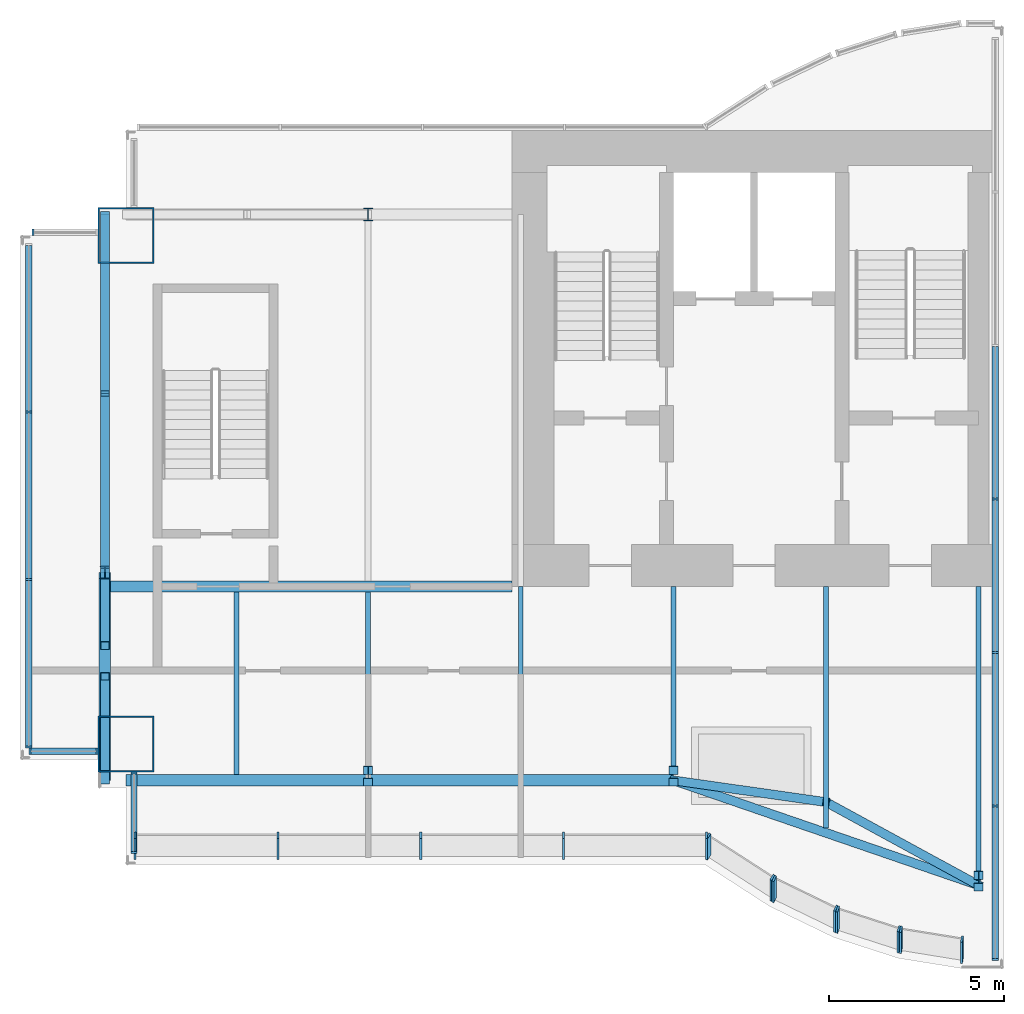
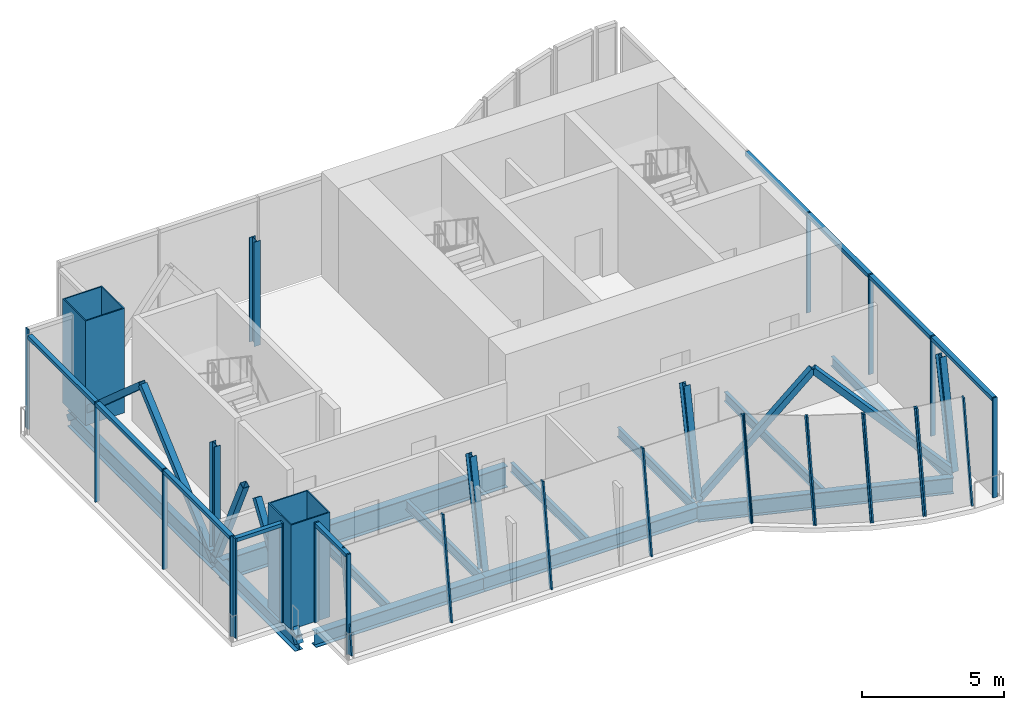
# One storey, part 1 of 6: 40 members, 12 beams, 7 columns, 10 elements without a shape of their own.
"""IFC4 building model written with IfcOpenShell, lengths in metres."""

from ifc_helpers import new_model, si_unit, direction, frame, origin, origin_2d, place, context, subcontext, project, spatial, rectangle, hollow_rectangle, i_section, extrude, material, material_profile, profile_set, type_object, element, aggregate, save


model = new_model("IFC4")

# Units and contexts
model_context = context("Model", 3, precision=1e-05, world=origin(), true_north=direction((0.0, 1.0)))
body_context = subcontext(model_context, "Body", "Model", "MODEL_VIEW")
ifc_project = project(units=[si_unit("LENGTHUNIT", "METRE"), si_unit("AREAUNIT", "SQUARE_METRE"), si_unit("VOLUMEUNIT", "CUBIC_METRE"), si_unit("PLANEANGLEUNIT", "RADIAN"), si_unit("MASSUNIT", "GRAM", prefix="KILO")], contexts=[model_context])

# Site, building, storey
site_placement = place(None, origin())
site = spatial("IfcSite", under=ifc_project, at=site_placement, CompositionType="ELEMENT")
building_placement = place(site_placement, origin())
building = spatial("IfcBuilding", under=site, at=building_placement, Name="Bicima Exchange Tower", CompositionType="ELEMENT")
storey_placement = place(building_placement, frame((0.0, 0.0, 365.89990234375)))
storey = spatial("IfcBuildingStorey", under=building, at=storey_placement, Name="L82", CompositionType="ELEMENT", Elevation=365.89990234375)

# Columns
ifc_material_1 = material(Name="Steel ASTM A572 Gr 50", Category="steel")
ifc_material_profile_1 = material_profile(ifc_material_1, hollow_rectangle(XDim=1.60009765625, YDim=1.60009765625, WallThickness=0.050048828125, at=origin_2d()))
ifc_profile_set_1 = profile_set([ifc_material_profile_1], Name="Steel ASTM A572 Gr 50")
column_type_1 = type_object("IfcColumnType", Name="Mega column BOX 1600x1600x50", PredefinedType="COLUMN", material=ifc_profile_set_1)
for number, where, z_axis, x_axis, name in (
    (1, (-33.0, -17.488037109375, 0.0), (0.0, 0.0, 1.0), (1.0, 0.0, 0.0), "Mega column mega-33.0f"),
    (2, (-33.0, -3.0, 0.0), (0.0, 0.0, 1.0), (1.0, 0.0, 0.0), "Mega column mega-33.0r"),
):
    element("IfcColumn", number, at=place(storey_placement, frame(where, z_axis=z_axis, x_axis=x_axis)), inside=storey, type_object=column_type_1, Name=name, PredefinedType="COLUMN", context=body_context, shape_type="SweptSolid", body=[
        extrude(hollow_rectangle(XDim=1.60009765625, YDim=1.60009765625, WallThickness=0.050048828125, at=origin_2d()), origin(), (0.0, 0.0, 1.0), 4.5),
    ])
ifc_material_2 = material(Name="Steel ASTM A992 Gr 50", Category="steel")
ifc_material_profile_2 = material_profile(ifc_material_2, i_section(OverallWidth=0.25390625, OverallDepth=0.35302734375, WebThickness=0.009521484375, FlangeThickness=0.016357421875, at=origin_2d()))
ifc_profile_set_2 = profile_set([ifc_material_profile_2], Name="Steel ASTM A992 Gr 50")
column_type_2 = type_object("IfcColumnType", Name="Perimeter column W14x61", PredefinedType="COLUMN", material=ifc_profile_set_2)
column_1_placement = place(storey_placement, frame((-26.10009765625, -18.519775390625, 0.03369140625), z_axis=(0.0, 0.191206783257, 0.981549777666), x_axis=(-1.0, 0.0, 0.0)))
element("IfcColumn", 3, at=column_1_placement, inside=storey, type_object=column_type_2, Name="Perimeter column grav-26.1f", PredefinedType="COLUMN", context=body_context, shape_type="SweptSolid", body=[
    extrude(i_section(OverallWidth=0.25390625, OverallDepth=0.35302734375, WebThickness=0.009521484375, FlangeThickness=0.016357421875, at=origin_2d()), origin(), (0.0, 0.0, 1.0), 4.51611328125),
])
column_2_placement = place(storey_placement, frame((-26.10009765625, -2.39990234375, 0.0), z_axis=(0.0, 0.0, 1.0), x_axis=(1.0, 0.0, 0.0)))
element("IfcColumn", 4, at=column_2_placement, inside=storey, type_object=column_type_2, Name="Perimeter column grav-26.1r", PredefinedType="COLUMN", context=body_context, shape_type="SweptSolid", body=[
    extrude(i_section(OverallWidth=0.25390625, OverallDepth=0.35302734375, WebThickness=0.009521484375, FlangeThickness=0.016357421875, at=origin_2d()), origin(), (0.0, 0.0, 1.0), 4.5),
])
for number, where, z_axis, x_axis, name in (
    (5, (-17.39990234375, -18.519775390625, 0.03369140625), (0.0, 0.191206783257, 0.981549777666), (-1.0, 0.0, 0.0), "Perimeter column grav-17.4f"),
    (6, (-8.699951171875, -21.5107421875, 0.03369140625), (0.0, 0.191154699822, 0.981559922132), (-1.0, 0.0, 0.0), "Perimeter column grav-8.7f"),
):
    element("IfcColumn", number, at=place(storey_placement, frame(where, z_axis=z_axis, x_axis=x_axis)), inside=storey, type_object=column_type_2, Name=name, PredefinedType="COLUMN", context=body_context, shape_type="SweptSolid", body=[
        extrude(i_section(OverallWidth=0.25390625, OverallDepth=0.35302734375, WebThickness=0.009521484375, FlangeThickness=0.016357421875, at=origin_2d()), origin(), (0.0, 0.0, 1.0), 4.51611328125),
    ])
column_3_placement = place(storey_placement, frame((-33.60009765625, -12.60009765625, 0.0), z_axis=(0.0, 0.0, 1.0), x_axis=(1.0, 0.0, 0.0)))
element("IfcColumn", 7, at=column_3_placement, inside=storey, type_object=column_type_2, Name="End column end-33.6e", PredefinedType="COLUMN", context=body_context, shape_type="SweptSolid", body=[
    extrude(i_section(OverallWidth=0.25390625, OverallDepth=0.35302734375, WebThickness=0.009521484375, FlangeThickness=0.016357421875, at=origin_2d()), origin(), (0.0, 0.0, 1.0), 4.5),
])

# Beam
ifc_material_profile_3 = material_profile(ifc_material_2, i_section(OverallWidth=0.3046875, OverallDepth=0.911865234375, WebThickness=0.015869140625, FlangeThickness=0.02392578125, at=origin_2d()))
ifc_profile_set_3 = profile_set([ifc_material_profile_3], Name="Steel ASTM A992 Gr 50")
beam_type_1 = type_object("IfcBeamType", Name="Core-line girder W36x150", PredefinedType="BEAM", material=ifc_profile_set_3)
beam_1_placement = place(storey_placement, frame((-22.0, -13.0, -0.65576171875), z_axis=(-1.0, 0.0, 0.0), x_axis=(0.0, -1.0, 0.0)))
element("IfcBeam", 8, at=beam_1_placement, inside=storey, type_object=beam_type_1, Name="Core-line girder", PredefinedType="BEAM", context=body_context, shape_type="SweptSolid", body=[
    extrude(i_section(OverallWidth=0.3046875, OverallDepth=0.911865234375, WebThickness=0.015869140625, FlangeThickness=0.02392578125, at=origin_2d()), origin(), (0.0, 0.0, 1.0), 11.60009765625),
])

# Curtain wall, members
ifc_material_3 = material(Name="Anodised bronze aluminium", Category="aluminium")
curtain_wall_type = type_object("IfcCurtainWallType", Name="Crown glass wall", PredefinedType="NOTDEFINED", material=ifc_material_3)
curtain_wall_1_placement = place(storey_placement, origin())
curtain_wall_1 = element("IfcCurtainWall", 9, at=curtain_wall_1_placement, inside=storey, type_object=curtain_wall_type, Name="Crown glass wall L82 run 2", PredefinedType="NOTDEFINED")
ifc_material_profile_4 = material_profile(ifc_material_3, rectangle(XDim=0.179931640625, YDim=0.06005859375, at=origin_2d()))
ifc_profile_set_4 = profile_set([ifc_material_profile_4], Name="Anodised bronze aluminium")
member_type_1 = type_object("IfcMemberType", Name="Crown glass wall mullion 60 x 180", PredefinedType="MULLION", material=ifc_profile_set_4)
member_1_placement = place(storey_placement, frame((-8.22998046875, -23.629150390625, 0.0), z_axis=(0.0, 0.0, 1.0), x_axis=(-1.0, 0.0, 0.0)))
member_1 = element("IfcMember", 10, at=member_1_placement, type_object=member_type_1, Name="Crown glass wall mullion 1", PredefinedType="MULLION", context=body_context, shape_type="SweptSolid", body=[
    extrude(rectangle(XDim=0.179931640625, YDim=0.06005859375, at=origin_2d()), origin(), (0.0, 0.0, 1.0), 4.300048828125),
])
member_2_placement = place(storey_placement, frame((-8.22998046875, -19.255615234375, 0.0), z_axis=(0.0, 0.0, 1.0), x_axis=(-1.0, 0.0, 0.0)))
member_2 = element("IfcMember", 11, at=member_2_placement, type_object=member_type_1, Name="Crown glass wall mullion 2", PredefinedType="MULLION", context=body_context, shape_type="SweptSolid", body=[
    extrude(rectangle(XDim=0.179931640625, YDim=0.06005859375, at=origin_2d()), origin(), (0.0, 0.0, 1.0), 4.300048828125),
])
member_3_placement = place(storey_placement, frame((-8.22998046875, -14.8818359375, 0.0), z_axis=(0.0, 0.0, 1.0), x_axis=(-1.0, 0.0, 0.0)))
member_3 = element("IfcMember", 12, at=member_3_placement, type_object=member_type_1, Name="Crown glass wall mullion 3", PredefinedType="MULLION", context=body_context, shape_type="SweptSolid", body=[
    extrude(rectangle(XDim=0.179931640625, YDim=0.06005859375, at=origin_2d()), origin(), (0.0, 0.0, 1.0), 4.300048828125),
])
member_4_placement = place(storey_placement, frame((-8.22998046875, -10.508056640625, 0.0), z_axis=(0.0, 0.0, 1.0), x_axis=(-1.0, 0.0, 0.0)))
member_4 = element("IfcMember", 13, at=member_4_placement, type_object=member_type_1, Name="Crown glass wall mullion 4", PredefinedType="MULLION", context=body_context, shape_type="SweptSolid", body=[
    extrude(rectangle(XDim=0.179931640625, YDim=0.06005859375, at=origin_2d()), origin(), (0.0, 0.0, 1.0), 4.300048828125),
])

# Curtain wall, member
curtain_wall_2_placement = place(storey_placement, origin())
curtain_wall_2 = element("IfcCurtainWall", 14, at=curtain_wall_2_placement, inside=storey, type_object=curtain_wall_type, Name="Crown glass wall L82 run 10", PredefinedType="NOTDEFINED")
member_5_placement = place(storey_placement, frame((-35.64990234375, -2.909912109375, 0.0), z_axis=(0.0, 0.0, 1.0), x_axis=(0.0, -1.0, 0.0)))
member_5 = element("IfcMember", 15, at=member_5_placement, type_object=member_type_1, Name="Crown glass wall mullion 2", PredefinedType="MULLION", context=body_context, shape_type="SweptSolid", body=[
    extrude(rectangle(XDim=0.179931640625, YDim=0.06005859375, at=origin_2d()), origin(), (0.0, 0.0, 1.0), 4.300048828125),
])
aggregate(curtain_wall_2, [member_5])

# Curtain wall, members
curtain_wall_3_placement = place(storey_placement, origin())
curtain_wall_3 = element("IfcCurtainWall", 16, at=curtain_wall_3_placement, inside=storey, type_object=curtain_wall_type, Name="Crown glass wall L82 run 11", PredefinedType="NOTDEFINED")
member_6_placement = place(storey_placement, frame((-35.77001953125, -8.031982421875, 0.0), z_axis=(0.0, 0.0, 1.0), x_axis=(1.0, 0.0, 0.0)))
member_6 = element("IfcMember", 17, at=member_6_placement, type_object=member_type_1, Name="Crown glass wall mullion 2", PredefinedType="MULLION", context=body_context, shape_type="SweptSolid", body=[
    extrude(rectangle(XDim=0.179931640625, YDim=0.06005859375, at=origin_2d()), origin(), (0.0, 0.0, 1.0), 4.300048828125),
])
member_7_placement = place(storey_placement, frame((-35.77001953125, -12.80419921875, 0.0), z_axis=(0.0, 0.0, 1.0), x_axis=(1.0, 0.0, 0.0)))
member_7 = element("IfcMember", 18, at=member_7_placement, type_object=member_type_1, Name="Crown glass wall mullion 3", PredefinedType="MULLION", context=body_context, shape_type="SweptSolid", body=[
    extrude(rectangle(XDim=0.179931640625, YDim=0.06005859375, at=origin_2d()), origin(), (0.0, 0.0, 1.0), 4.300048828125),
])
member_8_placement = place(storey_placement, frame((-35.77001953125, -17.576416015625, 0.0), z_axis=(0.0, 0.0, 1.0), x_axis=(1.0, 0.0, 0.0)))
member_8 = element("IfcMember", 19, at=member_8_placement, type_object=member_type_1, Name="Crown glass wall mullion 4", PredefinedType="MULLION", context=body_context, shape_type="SweptSolid", body=[
    extrude(rectangle(XDim=0.179931640625, YDim=0.06005859375, at=origin_2d()), origin(), (0.0, 0.0, 1.0), 4.300048828125),
])

curtain_wall_4_placement = place(storey_placement, origin())
curtain_wall_4 = element("IfcCurtainWall", 20, at=curtain_wall_4_placement, inside=storey, type_object=curtain_wall_type, Name="Crown glass wall L82 run 12", PredefinedType="NOTDEFINED")
member_9_placement = place(storey_placement, frame((-35.739990234375, -17.6962890625, 0.0), z_axis=(0.0, 0.0, 1.0), x_axis=(0.0, 1.0, 0.0)))
member_9 = element("IfcMember", 21, at=member_9_placement, type_object=member_type_1, Name="Crown glass wall mullion 1", PredefinedType="MULLION", context=body_context, shape_type="SweptSolid", body=[
    extrude(rectangle(XDim=0.179931640625, YDim=0.06005859375, at=origin_2d()), origin(), (0.0, 0.0, 1.0), 4.300048828125),
])
member_10_placement = place(storey_placement, frame((-33.830078125, -17.6962890625, 0.0), z_axis=(0.0, 0.0, 1.0), x_axis=(0.0, 1.0, 0.0)))
member_10 = element("IfcMember", 22, at=member_10_placement, type_object=member_type_1, Name="Crown glass wall mullion 2", PredefinedType="MULLION", context=body_context, shape_type="SweptSolid", body=[
    extrude(rectangle(XDim=0.179931640625, YDim=0.06005859375, at=origin_2d()), origin(), (0.0, 0.0, 1.0), 4.300048828125),
])

curtain_wall_5_placement = place(storey_placement, origin())
curtain_wall_5 = element("IfcCurtainWall", 23, at=curtain_wall_5_placement, inside=storey, type_object=curtain_wall_type, Name="Crown glass wall L82 run 13", PredefinedType="NOTDEFINED")
member_11_placement = place(storey_placement, frame((-32.77001953125, -18.318115234375, 0.0), z_axis=(0.0, 0.0, 1.0), x_axis=(1.0, 0.0, 0.0)))
member_11 = element("IfcMember", 24, at=member_11_placement, type_object=member_type_1, Name="Crown glass wall mullion 1", PredefinedType="MULLION", context=body_context, shape_type="SweptSolid", body=[
    extrude(rectangle(XDim=0.179931640625, YDim=0.06005859375, at=origin_2d()), origin(), (0.0, 0.0, 1.0), 4.300048828125),
])
member_12_placement = place(storey_placement, frame((-32.77001953125, -20.576416015625, 0.0), z_axis=(0.0, 0.0, 1.0), x_axis=(1.0, 0.0, 0.0)))
member_12 = element("IfcMember", 25, at=member_12_placement, type_object=member_type_1, Name="Crown glass wall mullion 2", PredefinedType="MULLION", context=body_context, shape_type="SweptSolid", body=[
    extrude(rectangle(XDim=0.179931640625, YDim=0.06005859375, at=origin_2d()), origin(), (0.0, 0.0, 1.0), 4.300048828125),
])

curtain_wall_6_placement = place(storey_placement, origin())
curtain_wall_6 = element("IfcCurtainWall", 26, at=curtain_wall_6_placement, inside=storey, type_object=curtain_wall_type, Name="Crown tilted glass L82 14.1", PredefinedType="NOTDEFINED")
member_13_placement = place(storey_placement, frame((-32.739990234375, -20.6962890625, 0.0), z_axis=(0.0, 0.139154039626, 0.99027074745), x_axis=(0.0, -0.99027074745, 0.139154039626)))
member_13 = element("IfcMember", 27, at=member_13_placement, type_object=member_type_1, Name="Crown tilted mullion 1", PredefinedType="MULLION", context=body_context, shape_type="SweptSolid", body=[
    extrude(rectangle(XDim=0.179931640625, YDim=0.06005859375, at=origin_2d()), origin(), (0.0, 0.0, 1.0), 4.34228515625),
])
member_14_placement = place(storey_placement, frame((-28.67041015625, -20.6962890625, 0.0), z_axis=(0.0, 0.139154039626, 0.99027074745), x_axis=(0.0, -0.99027074745, 0.139154039626)))
member_14 = element("IfcMember", 28, at=member_14_placement, type_object=member_type_1, Name="Crown tilted mullion 2", PredefinedType="MULLION", context=body_context, shape_type="SweptSolid", body=[
    extrude(rectangle(XDim=0.179931640625, YDim=0.06005859375, at=origin_2d()), origin(), (0.0, 0.0, 1.0), 4.34228515625),
])
member_15_placement = place(storey_placement, frame((-24.60107421875, -20.6962890625, 0.0), z_axis=(0.0, 0.139154039626, 0.99027074745), x_axis=(0.0, -0.99027074745, 0.139154039626)))
member_15 = element("IfcMember", 29, at=member_15_placement, type_object=member_type_1, Name="Crown tilted mullion 3", PredefinedType="MULLION", context=body_context, shape_type="SweptSolid", body=[
    extrude(rectangle(XDim=0.179931640625, YDim=0.06005859375, at=origin_2d()), origin(), (0.0, 0.0, 1.0), 4.34228515625),
])
member_16_placement = place(storey_placement, frame((-20.531494140625, -20.6962890625, 0.0), z_axis=(0.0, 0.139154039626, 0.99027074745), x_axis=(0.0, -0.99027074745, 0.139154039626)))
member_16 = element("IfcMember", 30, at=member_16_placement, type_object=member_type_1, Name="Crown tilted mullion 4", PredefinedType="MULLION", context=body_context, shape_type="SweptSolid", body=[
    extrude(rectangle(XDim=0.179931640625, YDim=0.06005859375, at=origin_2d()), origin(), (0.0, 0.0, 1.0), 4.34228515625),
])
member_17_placement = place(storey_placement, frame((-16.462158203125, -20.6962890625, 0.0), z_axis=(0.0, 0.139154039626, 0.99027074745), x_axis=(0.0, -0.99027074745, 0.139154039626)))
member_17 = element("IfcMember", 31, at=member_17_placement, type_object=member_type_1, Name="Crown tilted mullion 5", PredefinedType="MULLION", context=body_context, shape_type="SweptSolid", body=[
    extrude(rectangle(XDim=0.179931640625, YDim=0.06005859375, at=origin_2d()), origin(), (0.0, 0.0, 1.0), 4.34228515625),
])
aggregate(curtain_wall_6, [member_13, member_14, member_15, member_16, member_17])

curtain_wall_7_placement = place(storey_placement, origin())
curtain_wall_7 = element("IfcCurtainWall", 32, at=curtain_wall_7_placement, inside=storey, type_object=curtain_wall_type, Name="Crown tilted glass L82 15.1", PredefinedType="NOTDEFINED")
member_18_placement = place(storey_placement, frame((-16.406982421875, -20.712646484375, 0.0), z_axis=(0.0, 0.139154039626, 0.99027074745), x_axis=(-0.542910648791, -0.831619932848, 0.116860235837)))
member_18 = element("IfcMember", 33, at=member_18_placement, type_object=member_type_1, Name="Crown tilted mullion 1", PredefinedType="MULLION", context=body_context, shape_type="SweptSolid", body=[
    extrude(rectangle(XDim=0.179931640625, YDim=0.06005859375, at=origin_2d()), origin(), (0.0, 0.0, 1.0), 4.34228515625),
])
member_19_placement = place(storey_placement, frame((-14.578857421875, -21.894287109375, 0.0), z_axis=(0.0, 0.139154039626, 0.99027074745), x_axis=(-0.542910648791, -0.831619932848, 0.116860235837)))
member_19 = element("IfcMember", 34, at=member_19_placement, type_object=member_type_1, Name="Crown tilted mullion 2", PredefinedType="MULLION", context=body_context, shape_type="SweptSolid", body=[
    extrude(rectangle(XDim=0.179931640625, YDim=0.06005859375, at=origin_2d()), origin(), (0.0, 0.0, 1.0), 4.34228515625),
])
aggregate(curtain_wall_7, [member_18, member_19])

curtain_wall_8_placement = place(storey_placement, origin())
curtain_wall_8 = element("IfcCurtainWall", 35, at=curtain_wall_8_placement, inside=storey, type_object=curtain_wall_type, Name="Crown tilted glass L82 16.1", PredefinedType="NOTDEFINED")
member_20_placement = place(storey_placement, frame((-14.526611328125, -21.923828125, 0.0), z_axis=(0.0, 0.139154039626, 0.99027074745), x_axis=(-0.436225499807, -0.891082636457, 0.125216006656)))
member_20 = element("IfcMember", 36, at=member_20_placement, type_object=member_type_1, Name="Crown tilted mullion 1", PredefinedType="MULLION", context=body_context, shape_type="SweptSolid", body=[
    extrude(rectangle(XDim=0.179931640625, YDim=0.06005859375, at=origin_2d()), origin(), (0.0, 0.0, 1.0), 4.34228515625),
])
member_21_placement = place(storey_placement, frame((-12.7744140625, -22.773193359375, 0.0), z_axis=(0.0, 0.139154039626, 0.99027074745), x_axis=(-0.436225499807, -0.891082636457, 0.125216006656)))
member_21 = element("IfcMember", 37, at=member_21_placement, type_object=member_type_1, Name="Crown tilted mullion 2", PredefinedType="MULLION", context=body_context, shape_type="SweptSolid", body=[
    extrude(rectangle(XDim=0.179931640625, YDim=0.06005859375, at=origin_2d()), origin(), (0.0, 0.0, 1.0), 4.34228515625),
])
aggregate(curtain_wall_8, [member_20, member_21])

curtain_wall_9_placement = place(storey_placement, origin())
curtain_wall_9 = element("IfcCurtainWall", 38, at=curtain_wall_9_placement, inside=storey, type_object=curtain_wall_type, Name="Crown tilted glass L82 17.1", PredefinedType="NOTDEFINED")
member_22_placement = place(storey_placement, frame((-12.71875, -22.795654296875, 0.0), z_axis=(0.0, 0.139154039626, 0.99027074745), x_axis=(-0.307572519808, -0.942267018828, 0.132408497791)))
member_22 = element("IfcMember", 39, at=member_22_placement, type_object=member_type_1, Name="Crown tilted mullion 1", PredefinedType="MULLION", context=body_context, shape_type="SweptSolid", body=[
    extrude(rectangle(XDim=0.179931640625, YDim=0.06005859375, at=origin_2d()), origin(), (0.0, 0.0, 1.0), 4.34228515625),
])
member_23_placement = place(storey_placement, frame((-10.974609375, -23.359375, 0.0), z_axis=(0.0, 0.139154039626, 0.99027074745), x_axis=(-0.307572519808, -0.942267018828, 0.132408497791)))
member_23 = element("IfcMember", 40, at=member_23_placement, type_object=member_type_1, Name="Crown tilted mullion 2", PredefinedType="MULLION", context=body_context, shape_type="SweptSolid", body=[
    extrude(rectangle(XDim=0.179931640625, YDim=0.06005859375, at=origin_2d()), origin(), (0.0, 0.0, 1.0), 4.34228515625),
])
aggregate(curtain_wall_9, [member_22, member_23])

curtain_wall_10_placement = place(storey_placement, origin())
curtain_wall_10 = element("IfcCurtainWall", 41, at=curtain_wall_10_placement, inside=storey, type_object=curtain_wall_type, Name="Crown tilted glass L82 18.1", PredefinedType="NOTDEFINED")
member_24_placement = place(storey_placement, frame((-10.91650390625, -23.373291015625, 0.0), z_axis=(0.0, 0.139154039626, 0.99027074745), x_axis=(-0.159550386184, -0.977585167601, 0.137371446648)))
member_24 = element("IfcMember", 42, at=member_24_placement, type_object=member_type_1, Name="Crown tilted mullion 1", PredefinedType="MULLION", context=body_context, shape_type="SweptSolid", body=[
    extrude(rectangle(XDim=0.179931640625, YDim=0.06005859375, at=origin_2d()), origin(), (0.0, 0.0, 1.0), 4.34228515625),
])
member_25_placement = place(storey_placement, frame((-9.177734375, -23.654296875, 0.0), z_axis=(0.0, 0.139154039626, 0.99027074745), x_axis=(-0.159550386184, -0.977585167601, 0.137371446648)))
member_25 = element("IfcMember", 43, at=member_25_placement, type_object=member_type_1, Name="Crown tilted mullion 2", PredefinedType="MULLION", context=body_context, shape_type="SweptSolid", body=[
    extrude(rectangle(XDim=0.179931640625, YDim=0.06005859375, at=origin_2d()), origin(), (0.0, 0.0, 1.0), 4.34228515625),
])
aggregate(curtain_wall_10, [member_24, member_25])

# Member
ifc_material_profile_5 = material_profile(ifc_material_3, rectangle(XDim=0.179931640625, YDim=0.159912109375, at=origin_2d()))
ifc_profile_set_5 = profile_set([ifc_material_profile_5], Name="Anodised bronze aluminium")
member_type_2 = type_object("IfcMemberType", Name="Crown glass wall transom 160 x 180", PredefinedType="USERDEFINED", material=ifc_profile_set_5)
member_26_placement = place(storey_placement, frame((-8.22998046875, -23.59912109375, 4.22021484375), z_axis=(0.0, 1.0, 0.0), x_axis=(-1.0, 0.0, 0.0)))
member_26 = element("IfcMember", 44, at=member_26_placement, type_object=member_type_2, Name="Crown glass wall transom 1.1", ObjectType="TRANSOM", PredefinedType="USERDEFINED", context=body_context, shape_type="SweptSolid", body=[
    extrude(rectangle(XDim=0.179931640625, YDim=0.159912109375, at=origin_2d()), origin(), (0.0, 0.0, 1.0), 4.313720703125),
])

member_27_placement = place(storey_placement, frame((-8.22998046875, -19.2255859375, 4.22021484375), z_axis=(0.0, 1.0, 0.0), x_axis=(-1.0, 0.0, 0.0)))
member_27 = element("IfcMember", 45, at=member_27_placement, type_object=member_type_2, Name="Crown glass wall transom 2.1", ObjectType="TRANSOM", PredefinedType="USERDEFINED", context=body_context, shape_type="SweptSolid", body=[
    extrude(rectangle(XDim=0.179931640625, YDim=0.159912109375, at=origin_2d()), origin(), (0.0, 0.0, 1.0), 4.313720703125),
])

member_28_placement = place(storey_placement, frame((-8.22998046875, -14.851806640625, 4.22021484375), z_axis=(0.0, 1.0, 0.0), x_axis=(-1.0, 0.0, 0.0)))
member_28 = element("IfcMember", 46, at=member_28_placement, type_object=member_type_2, Name="Crown glass wall transom 3.1", ObjectType="TRANSOM", PredefinedType="USERDEFINED", context=body_context, shape_type="SweptSolid", body=[
    extrude(rectangle(XDim=0.179931640625, YDim=0.159912109375, at=origin_2d()), origin(), (0.0, 0.0, 1.0), 4.313720703125),
])

member_29_placement = place(storey_placement, frame((-8.22998046875, -10.47802734375, 4.22021484375), z_axis=(0.0, 1.0, 0.0), x_axis=(-1.0, 0.0, 0.0)))
member_29 = element("IfcMember", 47, at=member_29_placement, type_object=member_type_2, Name="Crown glass wall transom 4.1", ObjectType="TRANSOM", PredefinedType="USERDEFINED", context=body_context, shape_type="SweptSolid", body=[
    extrude(rectangle(XDim=0.179931640625, YDim=0.159912109375, at=origin_2d()), origin(), (0.0, 0.0, 1.0), 4.313720703125),
])

aggregate(curtain_wall_1, [member_1, member_2, member_3, member_4, member_26, member_27, member_28, member_29])

member_30_placement = place(storey_placement, frame((-35.77001953125, -3.2900390625, 4.22021484375), z_axis=(0.0, -1.0, 0.0), x_axis=(1.0, 0.0, 0.0)))
member_30 = element("IfcMember", 48, at=member_30_placement, type_object=member_type_2, Name="Crown glass wall transom 1.1", ObjectType="TRANSOM", PredefinedType="USERDEFINED", context=body_context, shape_type="SweptSolid", body=[
    extrude(rectangle(XDim=0.179931640625, YDim=0.159912109375, at=origin_2d()), origin(), (0.0, 0.0, 1.0), 4.712158203125),
])

member_31_placement = place(storey_placement, frame((-35.77001953125, -8.06201171875, 4.22021484375), z_axis=(0.0, -1.0, 0.0), x_axis=(1.0, 0.0, 0.0)))
member_31 = element("IfcMember", 49, at=member_31_placement, type_object=member_type_2, Name="Crown glass wall transom 2.1", ObjectType="TRANSOM", PredefinedType="USERDEFINED", context=body_context, shape_type="SweptSolid", body=[
    extrude(rectangle(XDim=0.179931640625, YDim=0.159912109375, at=origin_2d()), origin(), (0.0, 0.0, 1.0), 4.712158203125),
])

member_32_placement = place(storey_placement, frame((-35.77001953125, -12.834228515625, 4.22021484375), z_axis=(0.0, -1.0, 0.0), x_axis=(1.0, 0.0, 0.0)))
member_32 = element("IfcMember", 50, at=member_32_placement, type_object=member_type_2, Name="Crown glass wall transom 3.1", ObjectType="TRANSOM", PredefinedType="USERDEFINED", context=body_context, shape_type="SweptSolid", body=[
    extrude(rectangle(XDim=0.179931640625, YDim=0.159912109375, at=origin_2d()), origin(), (0.0, 0.0, 1.0), 4.712158203125),
])

aggregate(curtain_wall_3, [member_6, member_7, member_8, member_30, member_31, member_32])

member_33_placement = place(storey_placement, frame((-35.7099609375, -17.6962890625, 4.22021484375), z_axis=(1.0, 0.0, 0.0), x_axis=(0.0, 1.0, 0.0)))
member_33 = element("IfcMember", 51, at=member_33_placement, type_object=member_type_2, Name="Crown glass wall transom 1.1", ObjectType="TRANSOM", PredefinedType="USERDEFINED", context=body_context, shape_type="SweptSolid", body=[
    extrude(rectangle(XDim=0.179931640625, YDim=0.159912109375, at=origin_2d()), origin(), (0.0, 0.0, 1.0), 1.849853515625),
])

aggregate(curtain_wall_4, [member_9, member_10, member_33])

member_34_placement = place(storey_placement, frame((-32.77001953125, -18.347900390625, 4.22021484375), z_axis=(0.0, -1.0, 0.0), x_axis=(1.0, 0.0, 0.0)))
member_34 = element("IfcMember", 52, at=member_34_placement, type_object=member_type_2, Name="Crown glass wall transom 1.1", ObjectType="TRANSOM", PredefinedType="USERDEFINED", context=body_context, shape_type="SweptSolid", body=[
    extrude(rectangle(XDim=0.179931640625, YDim=0.159912109375, at=origin_2d()), origin(), (0.0, 0.0, 1.0), 2.198486328125),
])

aggregate(curtain_wall_5, [member_11, member_12, member_34])

# Beams
ifc_material_profile_6 = material_profile(ifc_material_2, i_section(OverallWidth=0.3251953125, OverallDepth=0.612060546875, WebThickness=0.0126953125, FlangeThickness=0.01904296875, at=origin_2d()))
ifc_profile_set_6 = profile_set([ifc_material_profile_6], Name="Steel ASTM A992 Gr 50")
beam_type_2 = type_object("IfcBeamType", Name="End girder W24x104", PredefinedType="BEAM", material=ifc_profile_set_6)
beam_2_placement = place(storey_placement, frame((-33.60009765625, -12.60009765625, -0.506103515625), z_axis=(0.0, -1.0, 0.0), x_axis=(1.0, 0.0, 0.0)))
element("IfcBeam", 53, at=beam_2_placement, inside=storey, type_object=beam_type_2, Name="End girder", PredefinedType="BEAM", context=body_context, shape_type="SweptSolid", body=[
    extrude(i_section(OverallWidth=0.3251953125, OverallDepth=0.612060546875, WebThickness=0.0126953125, FlangeThickness=0.01904296875, at=origin_2d()), origin(), (0.0, 0.0, 1.0), 5.92626953125),
])
ifc_material_profile_7 = material_profile(ifc_material_2, i_section(OverallWidth=0.256591796875, OverallDepth=0.693359375, WebThickness=0.014404296875, FlangeThickness=0.023681640625, at=origin_2d()))
ifc_profile_set_7 = profile_set([ifc_material_profile_7], Name="Steel ASTM A992 Gr 50")
beam_type_3 = type_object("IfcBeamType", Name="End girder W27x114", PredefinedType="BEAM", material=ifc_profile_set_7)
beam_3_placement = place(storey_placement, frame((-33.60009765625, -2.39990234375, -0.546630859375), z_axis=(0.0, -1.0, 0.0), x_axis=(1.0, 0.0, 0.0)))
element("IfcBeam", 54, at=beam_3_placement, inside=storey, type_object=beam_type_3, Name="End girder", PredefinedType="BEAM", context=body_context, shape_type="SweptSolid", body=[
    extrude(i_section(OverallWidth=0.256591796875, OverallDepth=0.693359375, WebThickness=0.014404296875, FlangeThickness=0.023681640625, at=origin_2d()), origin(), (0.0, 0.0, 1.0), 10.2001953125),
])
ifc_material_profile_8 = material_profile(ifc_material_2, i_section(OverallWidth=0.140380859375, OverallDepth=0.40380859375, WebThickness=0.007080078125, FlangeThickness=0.01123046875, at=origin_2d()))
ifc_profile_set_8 = profile_set([ifc_material_profile_8], Name="Steel ASTM A992 Gr 50")
beam_type_4 = type_object("IfcBeamType", Name="Floor beam W16x31", PredefinedType="JOIST", material=ifc_profile_set_8)
for number, where, z_axis, x_axis, name in (
    (55, (-29.85009765625, -13.15234375, -0.40185546875), (0.0, -1.0, 0.0), (1.0, 0.0, 0.0), "Floor beam"),
    (56, (-26.10009765625, -13.15234375, -0.40185546875), (0.0, -1.0, 0.0), (1.0, 0.0, 0.0), "Floor beam"),
):
    element("IfcBeam", number, at=place(storey_placement, frame(where, z_axis=z_axis, x_axis=x_axis)), inside=storey, type_object=beam_type_4, Name=name, PredefinedType="JOIST", context=body_context, shape_type="SweptSolid", body=[
        extrude(i_section(OverallWidth=0.140380859375, OverallDepth=0.40380859375, WebThickness=0.007080078125, FlangeThickness=0.01123046875, at=origin_2d()), origin(), (0.0, 0.0, 1.0), 5.21142578125),
    ])
for number, where, z_axis, x_axis, name in (
    (57, (-21.75, -13.0, -0.40185546875), (0.0, -1.0, 0.0), (1.0, 0.0, 0.0), "Floor beam"),
    (58, (-17.39990234375, -13.0, -0.40185546875), (0.0, -1.0, 0.0), (1.0, 0.0, 0.0), "Floor beam"),
):
    element("IfcBeam", number, at=place(storey_placement, frame(where, z_axis=z_axis, x_axis=x_axis)), inside=storey, type_object=beam_type_4, Name=name, PredefinedType="JOIST", context=body_context, shape_type="SweptSolid", body=[
        extrude(i_section(OverallWidth=0.140380859375, OverallDepth=0.40380859375, WebThickness=0.007080078125, FlangeThickness=0.01123046875, at=origin_2d()), origin(), (0.0, 0.0, 1.0), 5.36376953125),
    ])
beam_4_placement = place(storey_placement, frame((-13.050048828125, -13.0, -0.40185546875), z_axis=(0.0, -1.0, 0.0), x_axis=(1.0, 0.0, 0.0)))
element("IfcBeam", 59, at=beam_4_placement, inside=storey, type_object=beam_type_4, Name="Floor beam", PredefinedType="JOIST", context=body_context, shape_type="SweptSolid", body=[
    extrude(i_section(OverallWidth=0.140380859375, OverallDepth=0.40380859375, WebThickness=0.007080078125, FlangeThickness=0.01123046875, at=origin_2d()), origin(), (0.0, 0.0, 1.0), 6.88623046875),
])
beam_5_placement = place(storey_placement, frame((-8.699951171875, -13.0, -0.40185546875), z_axis=(0.0, -1.0, 0.0), x_axis=(1.0, 0.0, 0.0)))
element("IfcBeam", 60, at=beam_5_placement, inside=storey, type_object=beam_type_4, Name="Floor beam", PredefinedType="JOIST", context=body_context, shape_type="SweptSolid", body=[
    extrude(i_section(OverallWidth=0.140380859375, OverallDepth=0.40380859375, WebThickness=0.007080078125, FlangeThickness=0.01123046875, at=origin_2d()), origin(), (0.0, 0.0, 1.0), 8.381591796875),
])
beam_type_5 = type_object("IfcBeamType", Name="Front girder W24x104", PredefinedType="BEAM", material=ifc_profile_set_6)
beam_6_placement = place(storey_placement, frame((-33.0, -18.5263671875, -0.506103515625), z_axis=(1.0, 0.0, 0.0), x_axis=(0.0, 1.0, 0.0)))
element("IfcBeam", 61, at=beam_6_placement, inside=storey, type_object=beam_type_5, Name="Front girder", PredefinedType="BEAM", context=body_context, shape_type="SweptSolid", body=[
    extrude(i_section(OverallWidth=0.3251953125, OverallDepth=0.612060546875, WebThickness=0.0126953125, FlangeThickness=0.01904296875, at=origin_2d()), origin(), (0.0, 0.0, 1.0), 6.89990234375),
])
beam_7_placement = place(storey_placement, frame((-26.10009765625, -18.5263671875, -0.506103515625), z_axis=(1.0, 0.0, 0.0), x_axis=(0.0, 1.0, 0.0)))
element("IfcBeam", 62, at=beam_7_placement, inside=storey, type_object=beam_type_5, Name="Front girder", PredefinedType="BEAM", context=body_context, shape_type="SweptSolid", body=[
    extrude(i_section(OverallWidth=0.3251953125, OverallDepth=0.612060546875, WebThickness=0.0126953125, FlangeThickness=0.01904296875, at=origin_2d()), origin(), (0.0, 0.0, 1.0), 8.7001953125),
])
beam_type_6 = type_object("IfcBeamType", Name="Front girder W27x114", PredefinedType="BEAM", material=ifc_profile_set_7)
beam_8_placement = place(storey_placement, frame((-17.39990234375, -18.5263671875, -0.546630859375), z_axis=(0.945674616091, -0.32511462668, 0.0), x_axis=(0.32511462668, 0.945674616091, 0.0)))
element("IfcBeam", 63, at=beam_8_placement, inside=storey, type_object=beam_type_6, Name="Front girder", PredefinedType="BEAM", context=body_context, shape_type="SweptSolid", body=[
    extrude(i_section(OverallWidth=0.256591796875, OverallDepth=0.693359375, WebThickness=0.014404296875, FlangeThickness=0.023681640625, at=origin_2d()), origin(), (0.0, 0.0, 1.0), 9.19970703125),
])

# Members
ifc_material_profile_9 = material_profile(ifc_material_1, hollow_rectangle(XDim=0.25390625, YDim=0.25390625, WallThickness=0.01171875, at=origin_2d()))
ifc_profile_set_9 = profile_set([ifc_material_profile_9], Name="Steel ASTM A572 Gr 50")
member_type_3 = type_object("IfcMemberType", Name="Mega brace HSS10x10x1/2", PredefinedType="BRACE", material=ifc_profile_set_9)
member_35_placement = place(storey_placement, frame((-17.39990234375, -18.5263671875, 0.0), z_axis=(0.691634023196, -0.09844440045, 0.715507566681), x_axis=(0.140915686076, 0.99002160048, 0.0)))
element("IfcMember", 64, at=member_35_placement, inside=storey, type_object=member_type_3, Name="Mega brace front", PredefinedType="BRACE", context=body_context, shape_type="SweptSolid", body=[
    extrude(hollow_rectangle(XDim=0.25390625, YDim=0.25390625, WallThickness=0.01171875, at=origin_2d()), origin(), (0.0, 0.0, 1.0), 6.289306640625),
])
member_36_placement = place(storey_placement, frame((-8.699951171875, -21.517333984375, 0.0), z_axis=(-0.64992806025, 0.354363626969, 0.672324279185), x_axis=(-0.478703672043, -0.877976534067, 0.0)))
element("IfcMember", 65, at=member_36_placement, inside=storey, type_object=member_type_3, Name="Mega brace front", PredefinedType="BRACE", context=body_context, shape_type="SweptSolid", body=[
    extrude(hollow_rectangle(XDim=0.25390625, YDim=0.25390625, WallThickness=0.01171875, at=origin_2d()), origin(), (0.0, 0.0, 1.0), 6.693115234375),
])
for number, where, z_axis, x_axis, name in (
    (66, (-33.60009765625, -2.39990234375, -0.546630859375), (0.0, -0.749844140428, 0.661614513948), (1.0, 0.0, 0.0), "Mega brace west end"),
    (67, (-33.60009765625, -12.60009765625, -0.546630859375), (0.0, 0.749844140428, 0.661614513948), (-1.0, 0.0, 0.0), "Mega brace west end"),
):
    element("IfcMember", number, at=place(storey_placement, frame(where, z_axis=z_axis, x_axis=x_axis)), inside=storey, type_object=member_type_3, Name=name, PredefinedType="BRACE", context=body_context, shape_type="SweptSolid", body=[
        extrude(hollow_rectangle(XDim=0.25390625, YDim=0.25390625, WallThickness=0.01171875, at=origin_2d()), origin(), (0.0, 0.0, 1.0), 6.801513671875),
    ])
member_37_placement = place(storey_placement, frame((-33.60009765625, -12.60009765625, -0.506103515625), z_axis=(0.0, -0.420677425977, 0.907210286137), x_axis=(1.0, 0.0, 0.0)))
element("IfcMember", 68, at=member_37_placement, inside=storey, type_object=member_type_3, Name="Mega brace west end", PredefinedType="BRACE", context=body_context, shape_type="SweptSolid", body=[
    extrude(hollow_rectangle(XDim=0.25390625, YDim=0.25390625, WallThickness=0.01171875, at=origin_2d()), origin(), (0.0, 0.0, 1.0), 4.960205078125),
])
member_38_placement = place(storey_placement, frame((-33.60009765625, -18.5263671875, -0.506103515625), z_axis=(0.0, 0.549985944392, 0.835173910614), x_axis=(-1.0, 0.0, 0.0)))
element("IfcMember", 69, at=member_38_placement, inside=storey, type_object=member_type_3, Name="Mega brace west end", PredefinedType="BRACE", context=body_context, shape_type="SweptSolid", body=[
    extrude(hollow_rectangle(XDim=0.25390625, YDim=0.25390625, WallThickness=0.01171875, at=origin_2d()), origin(), (0.0, 0.0, 1.0), 5.38818359375),
])

save(model, "model.ifc")
